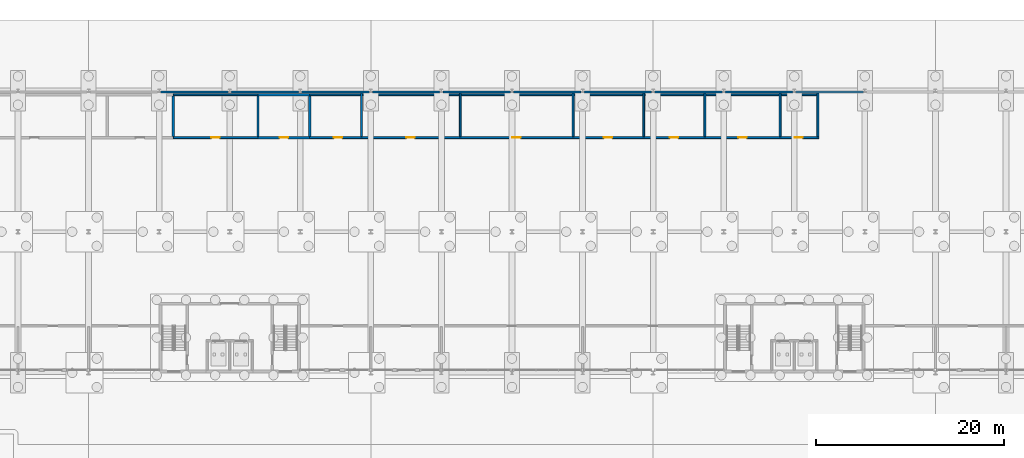
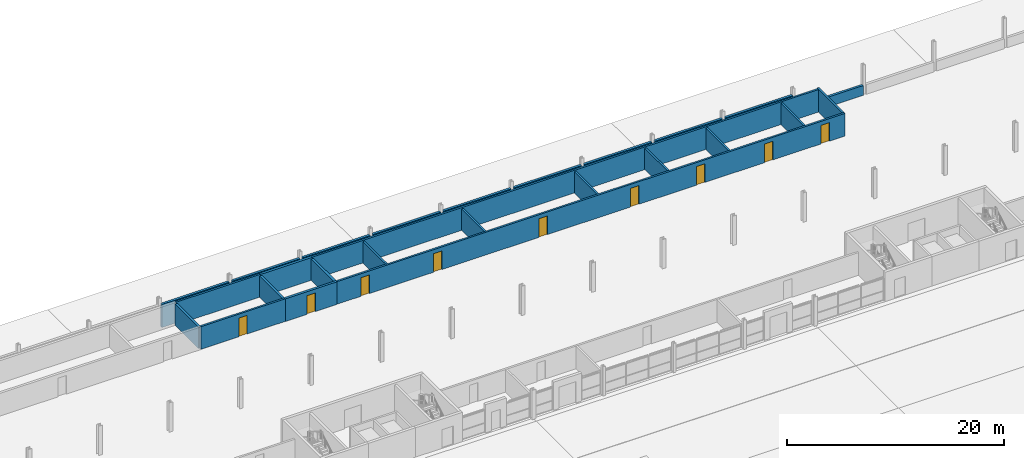
# One storey, part 94 of 130: 26 walls, 9 doors, 9 openings.
"""IFC4 building model written with IfcOpenShell, lengths in metres."""

from ifc_helpers import new_model, si_unit, direction, frame, frame_2d, origin, place, context, subcontext, project, spatial, rectangle, extrude, material, layer, layer_set, type_object, element, fill, save


model = new_model("IFC4")

# Units and contexts
model_context = context("Model", 3, precision=1e-05, world=origin(), true_north=direction((0.0, 1.0)))
body_context = subcontext(model_context, "Body", "Model", "MODEL_VIEW")
ifc_project = project(units=[si_unit("LENGTHUNIT", "METRE"), si_unit("AREAUNIT", "SQUARE_METRE"), si_unit("VOLUMEUNIT", "CUBIC_METRE"), si_unit("PLANEANGLEUNIT", "RADIAN"), si_unit("MASSUNIT", "GRAM", prefix="KILO")], contexts=[model_context])

# Site, building, storey
site_placement = place(None, origin())
site = spatial("IfcSite", under=ifc_project, at=site_placement, CompositionType="ELEMENT")
building_placement = place(site_placement, origin())
building = spatial("IfcBuilding", under=site, at=building_placement, Name="Parallax Yard Mobility Hub", CompositionType="ELEMENT")
storey_placement = place(building_placement, origin())
storey = spatial("IfcBuildingStorey", under=building, at=storey_placement, Name="L00", CompositionType="ELEMENT", Elevation=0.0)

# Wall
ifc_material_1 = material(Name="Concrete fc' 35 MPa", Category="concrete")
ifc_layer_1 = layer(ifc_material_1, 0.25)
ifc_layer_set_1 = layer_set([ifc_layer_1], Name="Deck-edge barrier wall, Concrete fc' 35 MPa precast, 250")
wall_type_1 = type_object("IfcWallType", Name="Deck-edge barrier wall, Concrete fc' 35 MPa precast, 250", PredefinedType="SOLIDWALL", material=ifc_layer_set_1)
wall_1_placement = place(storey_placement, frame((142.347412109375, 142.351318359375, 0.0), z_axis=(0.0, 0.0, 1.0), x_axis=(-1.0, 0.0, 0.0)))
element("IfcWall", 1, at=wall_1_placement, inside=storey, type_object=wall_type_1, Name="Deck-edge barrier wall bay 55 level L00", PredefinedType="SOLIDWALL", context=body_context, shape_type="SweptSolid", body=[
    extrude(rectangle(XDim=7.19482421875, YDim=0.25, at=frame_2d((3.597412109375, 0.0))), origin(), (0.0, 0.0, 1.0), 1.10009765625),
])

# Wall, opening, door
ifc_material_2 = material(Name="Fire-rated plasterboard partition, two layers each side")
ifc_layer_2 = layer(ifc_material_2, 0.199951171875)
ifc_layer_set_2 = layer_set([ifc_layer_2], Name="Fire-rated partition 200 mm")
wall_type_2 = type_object("IfcWallType", Name="Fire-rated partition 200 mm", PredefinedType="PARTITIONING", material=ifc_layer_set_2)
wall_2_placement = place(storey_placement, frame((69.0, 137.5, 0.0), z_axis=(0.0, 0.0, 1.0), x_axis=(1.0, 0.0, 0.0)))
wall_2 = element("IfcWall", 2, at=wall_2_placement, inside=storey, type_object=wall_type_2, Name="Partition 46 level L00", PredefinedType="PARTITIONING", context=body_context, shape_type="SweptSolid", body=[
    extrude(rectangle(XDim=9.0, YDim=0.199951171875, at=frame_2d((4.5, 0.0))), origin(), (0.0, 0.0, 1.0), 2.548095703125),
])
opening_1_placement = place(wall_2_placement, frame((4.050048828125, 0.0, 0.0)))
opening_1 = element("IfcOpeningElement", 3, at=opening_1_placement, cuts=wall_2, Name="Opening L00-D254", PredefinedType="OPENING", context=body_context, shape_type="SweptSolid", body=[
    extrude(rectangle(XDim=0.89990234375, YDim=2.10009765625, at=frame_2d((0.449951171875, 1.050048828125))), frame((0.0, 0.10986328125, 0.0), z_axis=(0.0, -1.0, 0.0), x_axis=(1.0, 0.0, 0.0)), (0.0, 0.0, 1.0), 0.219970703125),
])
ifc_material_3 = material(Name="Hollow metal fire door leaf with intumescent seals")
door_type_1 = type_object("IfcDoorType", Name="Fire door 900 mm FD60", OperationType="NOTDEFINED", PredefinedType="DOOR", material=ifc_material_3)
door_1_placement = place(opening_1_placement, origin())
door_1 = element("IfcDoor", 4, at=door_1_placement, inside=storey, type_object=door_type_1, Name="Door L00-D254 Pump Room", OperationType="SINGLE_SWING_RIGHT", OverallHeight=2.10009765625, OverallWidth=0.89990234375, PredefinedType="DOOR", context=body_context, shape_type="SweptSolid", body=[
    extrude(rectangle(XDim=0.89990234375, YDim=2.10009765625, at=frame_2d((0.449951171875, 1.050048828125))), frame((0.0, 0.02490234375, 0.0), z_axis=(0.0, -1.0, 0.0), x_axis=(1.0, 0.0, 0.0)), (0.0, 0.0, 1.0), 0.050048828125),
])
fill(opening_1, door_1)

# Wall, openings, doors
wall_3_placement = place(storey_placement, frame((83.5, 137.5, 0.0), z_axis=(0.0, 0.0, 1.0), x_axis=(1.0, 0.0, 0.0)))
wall_3 = element("IfcWall", 5, at=wall_3_placement, inside=storey, type_object=wall_type_2, Name="Partition 48 level L00", PredefinedType="PARTITIONING", context=body_context, shape_type="SweptSolid", body=[
    extrude(rectangle(XDim=54.10009765625, YDim=0.199951171875, at=frame_2d((27.050048828125, 0.0))), origin(), (0.0, 0.0, 1.0), 2.548095703125),
])
opening_2_placement = place(wall_3_placement, frame((2.550048828125, 0.0, 0.0)))
opening_2 = element("IfcOpeningElement", 6, at=opening_2_placement, cuts=wall_3, Name="Opening L00-D256", PredefinedType="OPENING", context=body_context, shape_type="SweptSolid", body=[
    extrude(rectangle(XDim=0.89990234375, YDim=2.10009765625, at=frame_2d((0.449951171875, 1.050048828125))), frame((0.0, 0.10986328125, 0.0), z_axis=(0.0, -1.0, 0.0), x_axis=(1.0, 0.0, 0.0)), (0.0, 0.0, 1.0), 0.219970703125),
])
opening_3_placement = place(wall_3_placement, frame((10.275146484375, 0.0, 0.0)))
opening_3 = element("IfcOpeningElement", 7, at=opening_3_placement, cuts=wall_3, Name="Opening L00-D257", PredefinedType="OPENING", context=body_context, shape_type="SweptSolid", body=[
    extrude(rectangle(XDim=0.89990234375, YDim=2.10009765625, at=frame_2d((0.449951171875, 1.050048828125))), frame((0.0, 0.10986328125, 0.0), z_axis=(0.0, -1.0, 0.0), x_axis=(1.0, 0.0, 0.0)), (0.0, 0.0, 1.0), 0.219970703125),
])
opening_4_placement = place(wall_3_placement, frame((21.525146484375, 0.0, 0.0)))
opening_4 = element("IfcOpeningElement", 8, at=opening_4_placement, cuts=wall_3, Name="Opening L00-D258", PredefinedType="OPENING", context=body_context, shape_type="SweptSolid", body=[
    extrude(rectangle(XDim=0.89990234375, YDim=2.10009765625, at=frame_2d((0.449951171875, 1.050048828125))), frame((0.0, 0.10986328125, 0.0), z_axis=(0.0, -1.0, 0.0), x_axis=(1.0, 0.0, 0.0)), (0.0, 0.0, 1.0), 0.219970703125),
])
opening_5_placement = place(wall_3_placement, frame((31.275146484375, 0.0, 0.0)))
opening_5 = element("IfcOpeningElement", 9, at=opening_5_placement, cuts=wall_3, Name="Opening L00-D259", PredefinedType="OPENING", context=body_context, shape_type="SweptSolid", body=[
    extrude(rectangle(XDim=0.89990234375, YDim=2.10009765625, at=frame_2d((0.449951171875, 1.050048828125))), frame((0.0, 0.10986328125, 0.0), z_axis=(0.0, -1.0, 0.0), x_axis=(1.0, 0.0, 0.0)), (0.0, 0.0, 1.0), 0.219970703125),
])
opening_6_placement = place(wall_3_placement, frame((38.275146484375, 0.0, 0.0)))
opening_6 = element("IfcOpeningElement", 10, at=opening_6_placement, cuts=wall_3, Name="Opening L00-D260", PredefinedType="OPENING", context=body_context, shape_type="SweptSolid", body=[
    extrude(rectangle(XDim=0.89990234375, YDim=2.10009765625, at=frame_2d((0.449951171875, 1.050048828125))), frame((0.0, 0.10986328125, 0.0), z_axis=(0.0, -1.0, 0.0), x_axis=(1.0, 0.0, 0.0)), (0.0, 0.0, 1.0), 0.219970703125),
])
opening_7_placement = place(wall_3_placement, frame((45.525146484375, 0.0, 0.0)))
opening_7 = element("IfcOpeningElement", 11, at=opening_7_placement, cuts=wall_3, Name="Opening L00-D261", PredefinedType="OPENING", context=body_context, shape_type="SweptSolid", body=[
    extrude(rectangle(XDim=0.89990234375, YDim=2.10009765625, at=frame_2d((0.449951171875, 1.050048828125))), frame((0.0, 0.10986328125, 0.0), z_axis=(0.0, -1.0, 0.0), x_axis=(1.0, 0.0, 0.0)), (0.0, 0.0, 1.0), 0.219970703125),
])
opening_8_placement = place(wall_3_placement, frame((51.525146484375, 0.0, 0.0)))
opening_8 = element("IfcOpeningElement", 12, at=opening_8_placement, cuts=wall_3, Name="Opening L00-D262", PredefinedType="OPENING", context=body_context, shape_type="SweptSolid", body=[
    extrude(rectangle(XDim=0.89990234375, YDim=2.10009765625, at=frame_2d((0.449951171875, 1.050048828125))), frame((0.0, 0.10986328125, 0.0), z_axis=(0.0, -1.0, 0.0), x_axis=(1.0, 0.0, 0.0)), (0.0, 0.0, 1.0), 0.219970703125),
])
door_2_placement = place(opening_2_placement, origin())
door_2 = element("IfcDoor", 13, at=door_2_placement, inside=storey, type_object=door_type_1, Name="Door L00-D256 Refuse Store", OperationType="SINGLE_SWING_LEFT", OverallHeight=2.10009765625, OverallWidth=0.89990234375, PredefinedType="DOOR", context=body_context, shape_type="SweptSolid", body=[
    extrude(rectangle(XDim=0.89990234375, YDim=2.10009765625, at=frame_2d((0.449951171875, 1.050048828125))), frame((0.0, 0.02490234375, 0.0), z_axis=(0.0, -1.0, 0.0), x_axis=(1.0, 0.0, 0.0)), (0.0, 0.0, 1.0), 0.050048828125),
])
fill(opening_2, door_2)
door_3_placement = place(opening_3_placement, origin())
door_3 = element("IfcDoor", 14, at=door_3_placement, inside=storey, type_object=door_type_1, Name="Door L00-D257 Parking Pay Station Office", OperationType="SINGLE_SWING_LEFT", OverallHeight=2.10009765625, OverallWidth=0.89990234375, PredefinedType="DOOR", context=body_context, shape_type="SweptSolid", body=[
    extrude(rectangle(XDim=0.89990234375, YDim=2.10009765625, at=frame_2d((0.449951171875, 1.050048828125))), frame((0.0, 0.02490234375, 0.0), z_axis=(0.0, -1.0, 0.0), x_axis=(1.0, 0.0, 0.0)), (0.0, 0.0, 1.0), 0.050048828125),
])
fill(opening_3, door_3)
door_4_placement = place(opening_4_placement, origin())
door_4 = element("IfcDoor", 15, at=door_4_placement, inside=storey, type_object=door_type_1, Name="Door L00-D258 Mobility Staff Room", OperationType="SINGLE_SWING_LEFT", OverallHeight=2.10009765625, OverallWidth=0.89990234375, PredefinedType="DOOR", context=body_context, shape_type="SweptSolid", body=[
    extrude(rectangle(XDim=0.89990234375, YDim=2.10009765625, at=frame_2d((0.449951171875, 1.050048828125))), frame((0.0, 0.02490234375, 0.0), z_axis=(0.0, -1.0, 0.0), x_axis=(1.0, 0.0, 0.0)), (0.0, 0.0, 1.0), 0.050048828125),
])
fill(opening_4, door_4)
door_5_placement = place(opening_5_placement, origin())
door_5 = element("IfcDoor", 16, at=door_5_placement, inside=storey, type_object=door_type_1, Name="Door L00-D259 Parcel Sorting Room", OperationType="SINGLE_SWING_RIGHT", OverallHeight=2.10009765625, OverallWidth=0.89990234375, PredefinedType="DOOR", context=body_context, shape_type="SweptSolid", body=[
    extrude(rectangle(XDim=0.89990234375, YDim=2.10009765625, at=frame_2d((0.449951171875, 1.050048828125))), frame((0.0, 0.02490234375, 0.0), z_axis=(0.0, -1.0, 0.0), x_axis=(1.0, 0.0, 0.0)), (0.0, 0.0, 1.0), 0.050048828125),
])
fill(opening_5, door_5)
door_6_placement = place(opening_6_placement, origin())
door_6 = element("IfcDoor", 17, at=door_6_placement, inside=storey, type_object=door_type_1, Name="Door L00-D260 Men's WC", OperationType="SINGLE_SWING_RIGHT", OverallHeight=2.10009765625, OverallWidth=0.89990234375, PredefinedType="DOOR", context=body_context, shape_type="SweptSolid", body=[
    extrude(rectangle(XDim=0.89990234375, YDim=2.10009765625, at=frame_2d((0.449951171875, 1.050048828125))), frame((0.0, 0.02490234375, 0.0), z_axis=(0.0, -1.0, 0.0), x_axis=(1.0, 0.0, 0.0)), (0.0, 0.0, 1.0), 0.050048828125),
])
fill(opening_6, door_6)
door_7_placement = place(opening_7_placement, origin())
door_7 = element("IfcDoor", 18, at=door_7_placement, inside=storey, type_object=door_type_1, Name="Door L00-D261 Women's WC", OperationType="SINGLE_SWING_RIGHT", OverallHeight=2.10009765625, OverallWidth=0.89990234375, PredefinedType="DOOR", context=body_context, shape_type="SweptSolid", body=[
    extrude(rectangle(XDim=0.89990234375, YDim=2.10009765625, at=frame_2d((0.449951171875, 1.050048828125))), frame((0.0, 0.02490234375, 0.0), z_axis=(0.0, -1.0, 0.0), x_axis=(1.0, 0.0, 0.0)), (0.0, 0.0, 1.0), 0.050048828125),
])
fill(opening_7, door_7)
door_8_placement = place(opening_8_placement, origin())
door_8 = element("IfcDoor", 19, at=door_8_placement, inside=storey, type_object=door_type_1, Name="Door L00-D262 Accessible WC", OperationType="SINGLE_SWING_RIGHT", OverallHeight=2.10009765625, OverallWidth=0.89990234375, PredefinedType="DOOR", context=body_context, shape_type="SweptSolid", body=[
    extrude(rectangle(XDim=0.89990234375, YDim=2.10009765625, at=frame_2d((0.449951171875, 1.050048828125))), frame((0.0, 0.02490234375, 0.0), z_axis=(0.0, -1.0, 0.0), x_axis=(1.0, 0.0, 0.0)), (0.0, 0.0, 1.0), 0.050048828125),
])
fill(opening_8, door_8)

# Walls
wall_4_placement = place(storey_placement, frame((69.0, 142.050048828125, 0.0), z_axis=(0.0, 0.0, 1.0), x_axis=(1.0, 0.0, 0.0)))
element("IfcWall", 20, at=wall_4_placement, inside=storey, type_object=wall_type_2, Name="Partition 50 level L00", PredefinedType="PARTITIONING", context=body_context, shape_type="SweptSolid", body=[
    extrude(rectangle(XDim=9.0, YDim=0.199951171875, at=frame_2d((4.5, 0.0))), origin(), (0.0, 0.0, 1.0), 2.548095703125),
])
wall_5_placement = place(storey_placement, frame((83.5, 142.050048828125, 0.0), z_axis=(0.0, 0.0, 1.0), x_axis=(1.0, 0.0, 0.0)))
element("IfcWall", 21, at=wall_5_placement, inside=storey, type_object=wall_type_2, Name="Partition 52 level L00", PredefinedType="PARTITIONING", context=body_context, shape_type="SweptSolid", body=[
    extrude(rectangle(XDim=54.10009765625, YDim=0.199951171875, at=frame_2d((27.050048828125, 0.0))), origin(), (0.0, 0.0, 1.0), 2.548095703125),
])
for number, where, z_axis, x_axis, name in (
    (22, (89.0, 137.60009765625, 0.0), (0.0, 0.0, 1.0), (0.0, 1.0, 0.0), "Partition 85 level L00"),
    (23, (99.5, 137.60009765625, 0.0), (0.0, 0.0, 1.0), (0.0, 1.0, 0.0), "Partition 88 level L00"),
    (24, (111.5, 137.60009765625, 0.0), (0.0, 0.0, 1.0), (0.0, 1.0, 0.0), "Partition 93 level L00"),
    (25, (119.0, 137.60009765625, 0.0), (0.0, 0.0, 1.0), (0.0, 1.0, 0.0), "Partition 97 level L00"),
    (26, (125.5, 137.60009765625, 0.0), (0.0, 0.0, 1.0), (0.0, 1.0, 0.0), "Partition 99 level L00"),
    (27, (133.5, 137.60009765625, 0.0), (0.0, 0.0, 1.0), (0.0, 1.0, 0.0), "Partition 103 level L00"),
):
    element("IfcWall", number, at=place(storey_placement, frame(where, z_axis=z_axis, x_axis=x_axis)), inside=storey, type_object=wall_type_2, Name=name, PredefinedType="PARTITIONING", context=body_context, shape_type="SweptSolid", body=[
        extrude(rectangle(XDim=4.626220703125, YDim=0.199951171875, at=frame_2d((2.31298828125, 0.0))), origin(), (0.0, 0.0, 1.0), 2.409912109375),
    ])
wall_6_placement = place(storey_placement, frame((137.5, 137.60009765625, 0.0), z_axis=(0.0, 0.0, 1.0), x_axis=(0.0, 1.0, 0.0)))
element("IfcWall", 28, at=wall_6_placement, inside=storey, type_object=wall_type_2, Name="Partition 104 level L00", PredefinedType="PARTITIONING", context=body_context, shape_type="SweptSolid", body=[
    extrude(rectangle(XDim=4.626220703125, YDim=0.199951171875, at=frame_2d((2.31298828125, 0.0))), origin(), (0.0, 0.0, 1.0), 2.55810546875),
])

# Wall, opening, door
ifc_material_4 = material(Name="Fire-rated plasterboard partition, three layers each side")
ifc_layer_3 = layer(ifc_material_4, 0.25)
ifc_layer_set_3 = layer_set([ifc_layer_3], Name="Fire-rated partition 250 mm")
wall_type_3 = type_object("IfcWallType", Name="Fire-rated partition 250 mm", PredefinedType="PARTITIONING", material=ifc_layer_set_3)
wall_7_placement = place(storey_placement, frame((78.0, 137.5, 0.0), z_axis=(0.0, 0.0, 1.0), x_axis=(1.0, 0.0, 0.0)))
wall_7 = element("IfcWall", 29, at=wall_7_placement, inside=storey, type_object=wall_type_3, Name="Partition 47 level L00", PredefinedType="PARTITIONING", context=body_context, shape_type="SweptSolid", body=[
    extrude(rectangle(XDim=5.5, YDim=0.25, at=frame_2d((2.75, 0.0))), origin(), (0.0, 0.0, 1.0), 2.548095703125),
])
opening_9_placement = place(wall_7_placement, frame((2.300048828125, 0.0, 0.0)))
opening_9 = element("IfcOpeningElement", 30, at=opening_9_placement, cuts=wall_7, Name="Opening L00-D255", PredefinedType="OPENING", context=body_context, shape_type="SweptSolid", body=[
    extrude(rectangle(XDim=0.89990234375, YDim=2.10009765625, at=frame_2d((0.449951171875, 1.050048828125))), frame((0.0, 0.135009765625, 0.0), z_axis=(0.0, -1.0, 0.0), x_axis=(1.0, 0.0, 0.0)), (0.0, 0.0, 1.0), 0.27001953125),
])
door_type_2 = type_object("IfcDoorType", Name="Fire door 900 mm FD90", OperationType="NOTDEFINED", PredefinedType="DOOR", material=ifc_material_3)
door_9_placement = place(opening_9_placement, origin())
door_9 = element("IfcDoor", 31, at=door_9_placement, inside=storey, type_object=door_type_2, Name="Door L00-D255 EV Switch Room", OperationType="SINGLE_SWING_RIGHT", OverallHeight=2.10009765625, OverallWidth=0.89990234375, PredefinedType="DOOR", context=body_context, shape_type="SweptSolid", body=[
    extrude(rectangle(XDim=0.89990234375, YDim=2.10009765625, at=frame_2d((0.449951171875, 1.050048828125))), frame((0.0, 0.02490234375, 0.0), z_axis=(0.0, -1.0, 0.0), x_axis=(1.0, 0.0, 0.0)), (0.0, 0.0, 1.0), 0.050048828125),
])
fill(opening_9, door_9)

# Walls
wall_8_placement = place(storey_placement, frame((78.0, 142.050048828125, 0.0), z_axis=(0.0, 0.0, 1.0), x_axis=(1.0, 0.0, 0.0)))
element("IfcWall", 32, at=wall_8_placement, inside=storey, type_object=wall_type_3, Name="Partition 51 level L00", PredefinedType="PARTITIONING", context=body_context, shape_type="SweptSolid", body=[
    extrude(rectangle(XDim=5.5, YDim=0.25, at=frame_2d((2.75, 0.0))), origin(), (0.0, 0.0, 1.0), 2.548095703125),
])
for number, where, z_axis, x_axis, name in (
    (33, (69.0, 137.625, 0.0), (0.0, 0.0, 1.0), (0.0, 1.0, 0.0), "Partition 71 level L00"),
    (34, (78.0, 137.625, 0.0), (0.0, 0.0, 1.0), (0.0, 1.0, 0.0), "Partition 80 level L00"),
    (35, (83.5, 137.625, 0.0), (0.0, 0.0, 1.0), (0.0, 1.0, 0.0), "Partition 81 level L00"),
):
    element("IfcWall", number, at=place(storey_placement, frame(where, z_axis=z_axis, x_axis=x_axis)), inside=storey, type_object=wall_type_3, Name=name, PredefinedType="PARTITIONING", context=body_context, shape_type="SweptSolid", body=[
        extrude(rectangle(XDim=4.300048828125, YDim=0.25, at=frame_2d((2.14990234375, 0.0))), origin(), (0.0, 0.0, 1.0), 2.409912109375),
    ])
ifc_layer_4 = layer(ifc_material_1, 0.25)
ifc_layer_set_4 = layer_set([ifc_layer_4], Name="Ground-floor base wall, Concrete fc' 35 MPa precast, 250")
wall_type_4 = type_object("IfcWallType", Name="Ground-floor base wall, Concrete fc' 35 MPa precast, 250", PredefinedType="SOLIDWALL", material=ifc_layer_set_4)
for number, where, z_axis, x_axis, name in (
    (36, (134.847412109375, 142.351318359375, 0.0), (0.0, 0.0, 1.0), (-1.0, 0.0, 0.0), "Ground-floor base wall bay 56 level L00"),
    (37, (127.347412109375, 142.351318359375, 0.0), (0.0, 0.0, 1.0), (-1.0, 0.0, 0.0), "Ground-floor base wall bay 57 level L00"),
    (38, (119.847412109375, 142.351318359375, 0.0), (0.0, 0.0, 1.0), (-1.0, 0.0, 0.0), "Ground-floor base wall bay 58 level L00"),
    (39, (112.347412109375, 142.351318359375, 0.0), (0.0, 0.0, 1.0), (-1.0, 0.0, 0.0), "Ground-floor base wall bay 59 level L00"),
    (40, (104.847412109375, 142.351318359375, 0.0), (0.0, 0.0, 1.0), (-1.0, 0.0, 0.0), "Ground-floor base wall bay 60 level L00"),
    (41, (97.347412109375, 142.351318359375, 0.0), (0.0, 0.0, 1.0), (-1.0, 0.0, 0.0), "Ground-floor base wall bay 61 level L00"),
    (42, (89.847412109375, 142.351318359375, 0.0), (0.0, 0.0, 1.0), (-1.0, 0.0, 0.0), "Ground-floor base wall bay 62 level L00"),
    (43, (82.347412109375, 142.351318359375, 0.0), (0.0, 0.0, 1.0), (-1.0, 0.0, 0.0), "Ground-floor base wall bay 63 level L00"),
    (44, (74.847412109375, 142.351318359375, 0.0), (0.0, 0.0, 1.0), (-1.0, 0.0, 0.0), "Ground-floor base wall bay 64 level L00"),
):
    element("IfcWall", number, at=place(storey_placement, frame(where, z_axis=z_axis, x_axis=x_axis)), inside=storey, type_object=wall_type_4, Name=name, PredefinedType="SOLIDWALL", context=body_context, shape_type="SweptSolid", body=[
        extrude(rectangle(XDim=7.19482421875, YDim=0.25, at=frame_2d((3.597412109375, 0.0))), origin(), (0.0, 0.0, 1.0), 2.60009765625),
    ])

save(model, "model.ifc")
